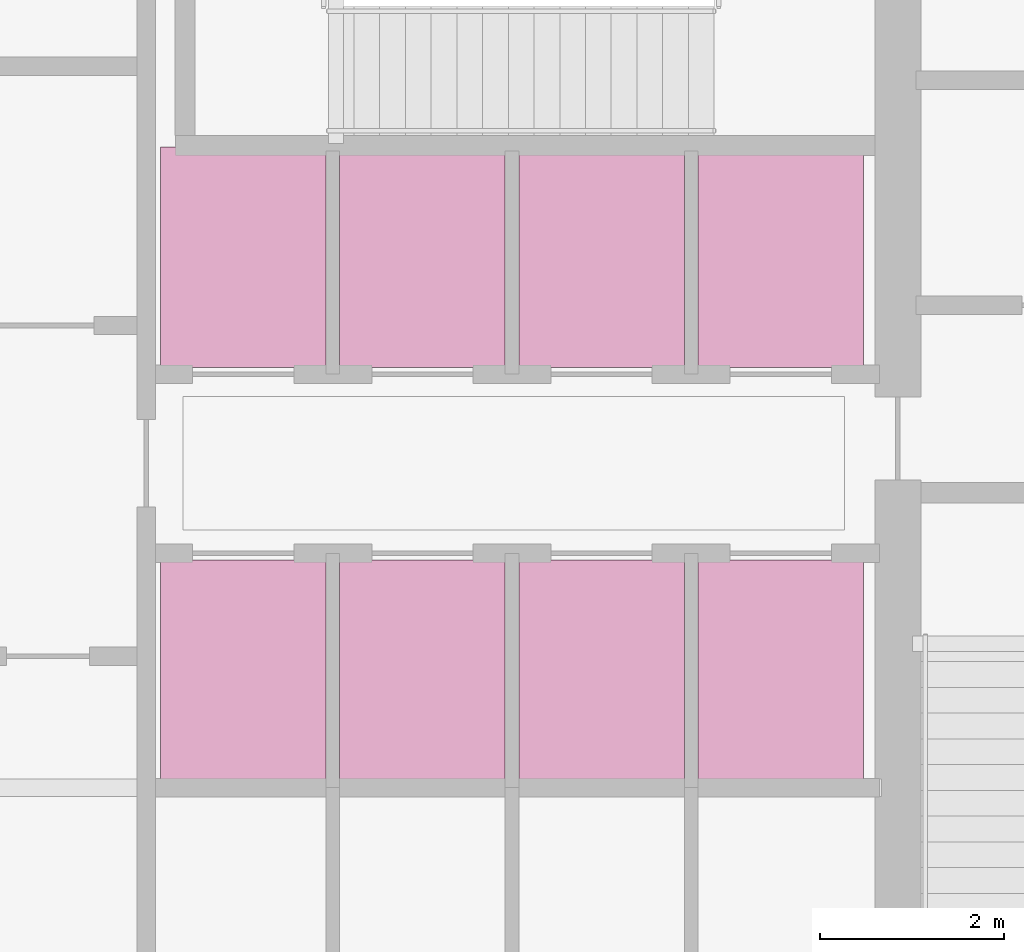
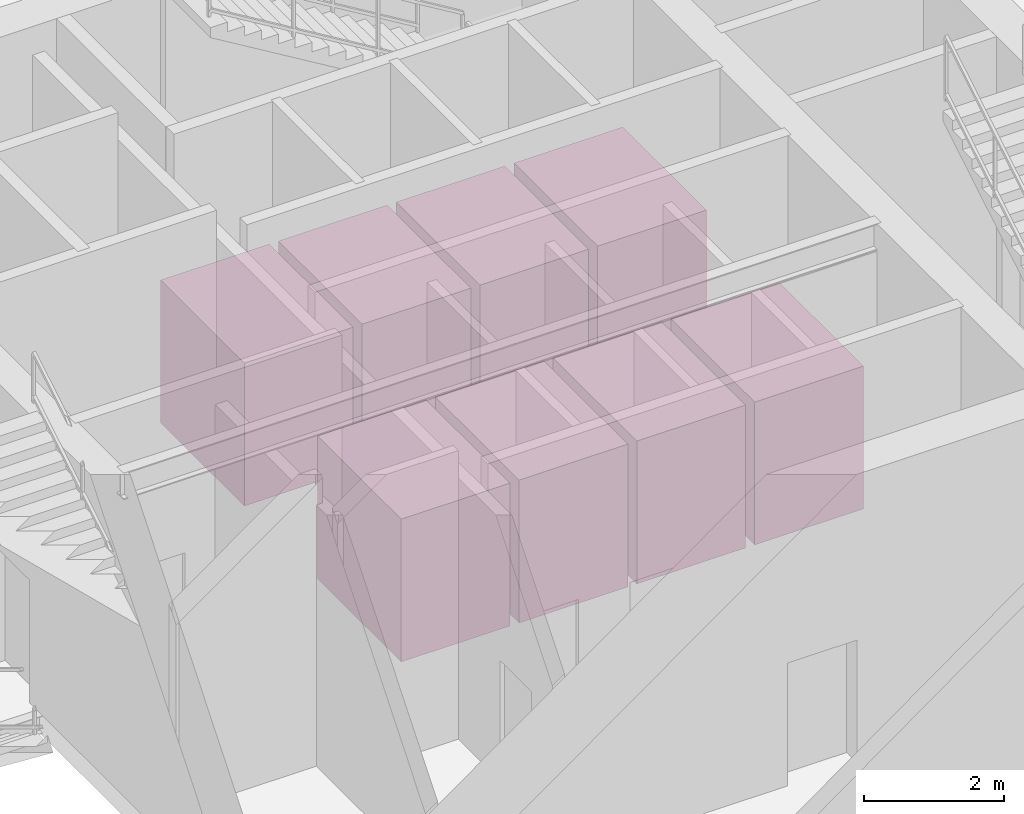
# One storey, part 13 of 13: 8 transport elements.
"""IFC4 building model written with IfcOpenShell, lengths in metres."""

from ifc_helpers import new_model, si_unit, direction, frame, origin, origin_2d, place, context, subcontext, project, spatial, rectangle, extrude, material, type_object, element, save


model = new_model("IFC4")

# Units and contexts
model_context = context("Model", 3, precision=1e-05, world=origin(), true_north=direction((0.0, 1.0)))
body_context = subcontext(model_context, "Body", "Model", "MODEL_VIEW")
ifc_project = project(units=[si_unit("LENGTHUNIT", "METRE"), si_unit("AREAUNIT", "SQUARE_METRE"), si_unit("VOLUMEUNIT", "CUBIC_METRE"), si_unit("PLANEANGLEUNIT", "RADIAN"), si_unit("MASSUNIT", "GRAM", prefix="KILO")], contexts=[model_context])

# Site, building, storey
site_placement = place(None, origin())
site = spatial("IfcSite", under=ifc_project, at=site_placement, CompositionType="ELEMENT")
building_placement = place(site_placement, origin())
building = spatial("IfcBuilding", under=site, at=building_placement, Name="Qarnah Convention Tower", CompositionType="ELEMENT")
storey_placement = place(building_placement, origin())
storey = spatial("IfcBuildingStorey", under=building, at=storey_placement, Name="L00", CompositionType="ELEMENT", Elevation=0.0)

# Transport elements
ifc_material = material(Name="Structural steel S355JR", Category="steel")
transport_element_type_1 = type_object("IfcTransportElementType", Name="LFT-PH-1800", PredefinedType="ELEVATOR", material=ifc_material)
for number, where, z_axis, x_axis, name in (
    (1, (36.574951171875, 29.425048828125, 0.0), (0.0, 0.0, 1.0), (1.0, 0.0, 0.0), "High-rise passenger lift PH-01"),
    (2, (38.52490234375, 29.425048828125, 0.0), (0.0, 0.0, 1.0), (1.0, 0.0, 0.0), "High-rise passenger lift PH-02"),
    (3, (40.47509765625, 29.425048828125, 0.0), (0.0, 0.0, 1.0), (1.0, 0.0, 0.0), "High-rise passenger lift PH-03"),
    (4, (42.425048828125, 29.425048828125, 0.0), (0.0, 0.0, 1.0), (1.0, 0.0, 0.0), "High-rise passenger lift PH-04"),
):
    element("IfcTransportElement", number, at=place(storey_placement, frame(where, z_axis=z_axis, x_axis=x_axis)), inside=storey, type_object=transport_element_type_1, Name=name, PredefinedType="ELEVATOR", context=body_context, shape_type="SweptSolid", body=[
        extrude(rectangle(XDim=1.800048828125, YDim=2.39990234375, at=origin_2d()), origin(), (0.0, 0.0, 1.0), 2.5),
    ])
transport_element_type_2 = type_object("IfcTransportElementType", Name="LFT-PM-1800", PredefinedType="ELEVATOR", material=ifc_material)
for number, where, z_axis, x_axis, name in (
    (5, (36.574951171875, 24.925048828125, 0.0), (0.0, 0.0, 1.0), (1.0, 0.0, 0.0), "Mid-rise passenger lift PM-01"),
    (6, (38.52490234375, 24.925048828125, 0.0), (0.0, 0.0, 1.0), (1.0, 0.0, 0.0), "Mid-rise passenger lift PM-02"),
    (7, (40.47509765625, 24.925048828125, 0.0), (0.0, 0.0, 1.0), (1.0, 0.0, 0.0), "Mid-rise passenger lift PM-03"),
    (8, (42.425048828125, 24.925048828125, 0.0), (0.0, 0.0, 1.0), (1.0, 0.0, 0.0), "Mid-rise passenger lift PM-04"),
):
    element("IfcTransportElement", number, at=place(storey_placement, frame(where, z_axis=z_axis, x_axis=x_axis)), inside=storey, type_object=transport_element_type_2, Name=name, PredefinedType="ELEVATOR", context=body_context, shape_type="SweptSolid", body=[
        extrude(rectangle(XDim=1.800048828125, YDim=2.39990234375, at=origin_2d()), origin(), (0.0, 0.0, 1.0), 2.5),
    ])

save(model, "model.ifc")
